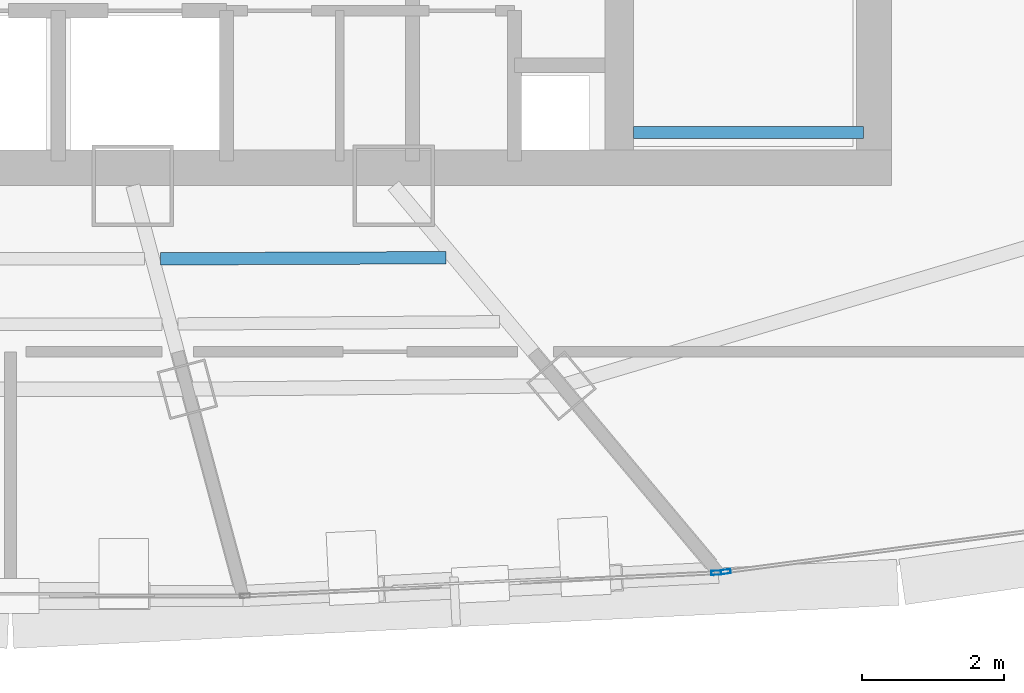
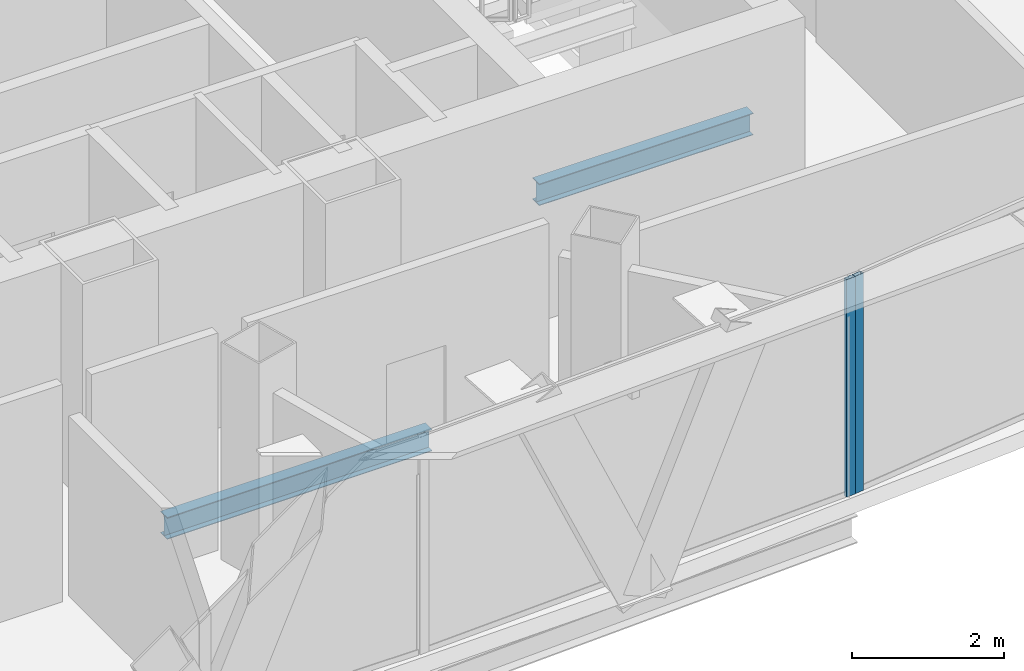
# One storey, part 11 of 27: 2 beams, 2 members, 2 elements without a shape of their own.
"""IFC4 building model written with IfcOpenShell, lengths in metres."""

from ifc_helpers import new_model, si_unit, direction, frame, origin, origin_2d, place, context, subcontext, project, spatial, hollow_rectangle, i_section, extrude, source, transform, mapped, material, layer, layer_set, material_profile, profile_set, type_object, element, aggregate, save


model = new_model("IFC4")

# Units and contexts
model_context = context("Model", 3, precision=1e-05, world=origin(), true_north=direction((0.0, 1.0)))
body_context = subcontext(model_context, "Body", "Model", "MODEL_VIEW")
ifc_project = project(units=[si_unit("LENGTHUNIT", "METRE"), si_unit("AREAUNIT", "SQUARE_METRE"), si_unit("VOLUMEUNIT", "CUBIC_METRE"), si_unit("PLANEANGLEUNIT", "RADIAN"), si_unit("MASSUNIT", "GRAM", prefix="KILO"), si_unit("THERMODYNAMICTEMPERATUREUNIT", "KELVIN"), si_unit("POWERUNIT", "WATT")], contexts=[model_context])

# Site, building, storey
site_placement = place(None, origin())
site = spatial("IfcSite", under=ifc_project, at=site_placement, CompositionType="ELEMENT")
building_placement = place(site_placement, origin())
building = spatial("IfcBuilding", under=site, at=building_placement, Name="Yunzhuo Pagoda Commons", CompositionType="ELEMENT")
storey_placement = place(building_placement, frame((0.0, 0.0, 344.260009765625)))
storey = spatial("IfcBuildingStorey", under=building, at=storey_placement, Name="L86", CompositionType="ELEMENT", Elevation=344.260009765625)

# Beams
ifc_material_1 = material(Name="Structural steel Q355B", Category="steel")
ifc_material_profile_1 = material_profile(ifc_material_1, i_section(OverallWidth=0.175048828125, OverallDepth=0.35009765625, WebThickness=0.007080078125, FlangeThickness=0.010986328125, at=origin_2d()), Name="Structural steel Q355B")
ifc_profile_set_1 = profile_set([ifc_material_profile_1], Name="Structural steel Q355B")
beam_type = type_object("IfcBeamType", Name="B-JS2 Joist HN 350x175x7x11", PredefinedType="JOIST", material=ifc_profile_set_1)
shared_shape_1 = source(origin(), body_context, "Body", "SweptSolid", [
    extrude(i_section(OverallWidth=0.175048828125, OverallDepth=0.35009765625, WebThickness=0.007080078125, FlangeThickness=0.010986328125, at=origin_2d()), origin(), (0.0, 0.0, 1.0), 3.25),
])
beam_1_placement = place(storey_placement, frame((56.800048828125, 28.0, 1.5), z_axis=(1.0, 0.0, 0.0), x_axis=(0.0, 1.0, 0.0)))
element("IfcBeam", 1, at=beam_1_placement, inside=storey, type_object=beam_type, Name="L86 ST2 landing support beam 92A", PredefinedType="JOIST", context=body_context, shape_type="MappedRepresentation", body=[
    mapped(shared_shape_1, transform((0.0, 0.0, 0.0), scale=1.0)),
])
shared_shape_2 = source(origin(), body_context, "Body", "SweptSolid", [
    extrude(i_section(OverallWidth=0.175048828125, OverallDepth=0.35009765625, WebThickness=0.007080078125, FlangeThickness=0.010986328125, at=origin_2d()), origin(), (0.0, 0.0, 1.0), 4.03076171875),
])
beam_2_placement = place(storey_placement, frame((50.120849609375, 26.214599609375, -0.43505859375), z_axis=(0.999991518197, 0.004118680996, 0.0), x_axis=(-0.004118680996, 0.999991518197, 0.0)))
element("IfcBeam", 2, at=beam_2_placement, inside=storey, type_object=beam_type, Name="L86 composite ring joist 1.3", PredefinedType="JOIST", context=body_context, shape_type="MappedRepresentation", body=[
    mapped(shared_shape_2, transform((0.0, 0.0, 0.0), scale=1.0)),
])

# Curtain wall, member
ifc_material_2 = material(Name="Anodized aluminium 6063-T6", Category="aluminium")
ifc_layer = layer(ifc_material_2, 0.139892578125)
ifc_layer_set = layer_set([ifc_layer], Name="Anodized aluminium 6063-T6")
curtain_wall_type = type_object("IfcCurtainWallType", Name="CW-HI High-Zone Ribbon Curtain Wall", PredefinedType="NOTDEFINED", material=ifc_layer_set)
curtain_wall_1_placement = place(storey_placement, origin())
curtain_wall_1 = element("IfcCurtainWall", 3, at=curtain_wall_1_placement, inside=storey, type_object=curtain_wall_type, Name="L86 curtain wall CW-L86-F1B4", PredefinedType="NOTDEFINED")
ifc_material_profile_2 = material_profile(ifc_material_2, hollow_rectangle(XDim=0.06005859375, YDim=0.139892578125, WallThickness=0.00341796875, at=origin_2d()), Name="Anodized aluminium 6063-T6")
ifc_profile_set_2 = profile_set([ifc_material_profile_2], Name="Anodized aluminium 6063-T6")
member_type = type_object("IfcMemberType", Name="CW-HI-M Mullion RHS 140x60x3.5", PredefinedType="MULLION", material=ifc_profile_set_2)
shared_shape_3 = source(origin(), body_context, "Body", "SweptSolid", [
    extrude(hollow_rectangle(XDim=0.06005859375, YDim=0.139892578125, WallThickness=0.00341796875, at=origin_2d()), origin(), (0.0, 0.0, 1.0), 3.489990234375),
])
member_1_placement = place(storey_placement, frame((57.970947265625, 21.780029296875, 0.0), z_axis=(0.0, 0.0, 1.0), x_axis=(-0.048905572213, 0.998803406585, 0.0)))
member_1 = element("IfcMember", 4, at=member_1_placement, type_object=member_type, Name="CW mullion 2", PredefinedType="MULLION", context=body_context, shape_type="MappedRepresentation", body=[
    mapped(shared_shape_3, transform((0.0, 0.0, 0.0), scale=1.0)),
])
aggregate(curtain_wall_1, [member_1])

curtain_wall_2_placement = place(storey_placement, origin())
curtain_wall_2 = element("IfcCurtainWall", 5, at=curtain_wall_2_placement, inside=storey, type_object=curtain_wall_type, Name="L86 curtain wall CW-L86-F1B5", PredefinedType="NOTDEFINED")
member_2_placement = place(storey_placement, frame((58.105224609375, 21.795166015625, 0.0), z_axis=(0.0, 0.0, 1.0), x_axis=(-0.132068741636, 0.991240559845, 0.0)))
member_2 = element("IfcMember", 6, at=member_2_placement, type_object=member_type, Name="CW mullion 1", PredefinedType="MULLION", context=body_context, shape_type="MappedRepresentation", body=[
    mapped(shared_shape_3, transform((0.0, 0.0, 0.0), scale=1.0)),
])
aggregate(curtain_wall_2, [member_2])

save(model, "model.ifc")
